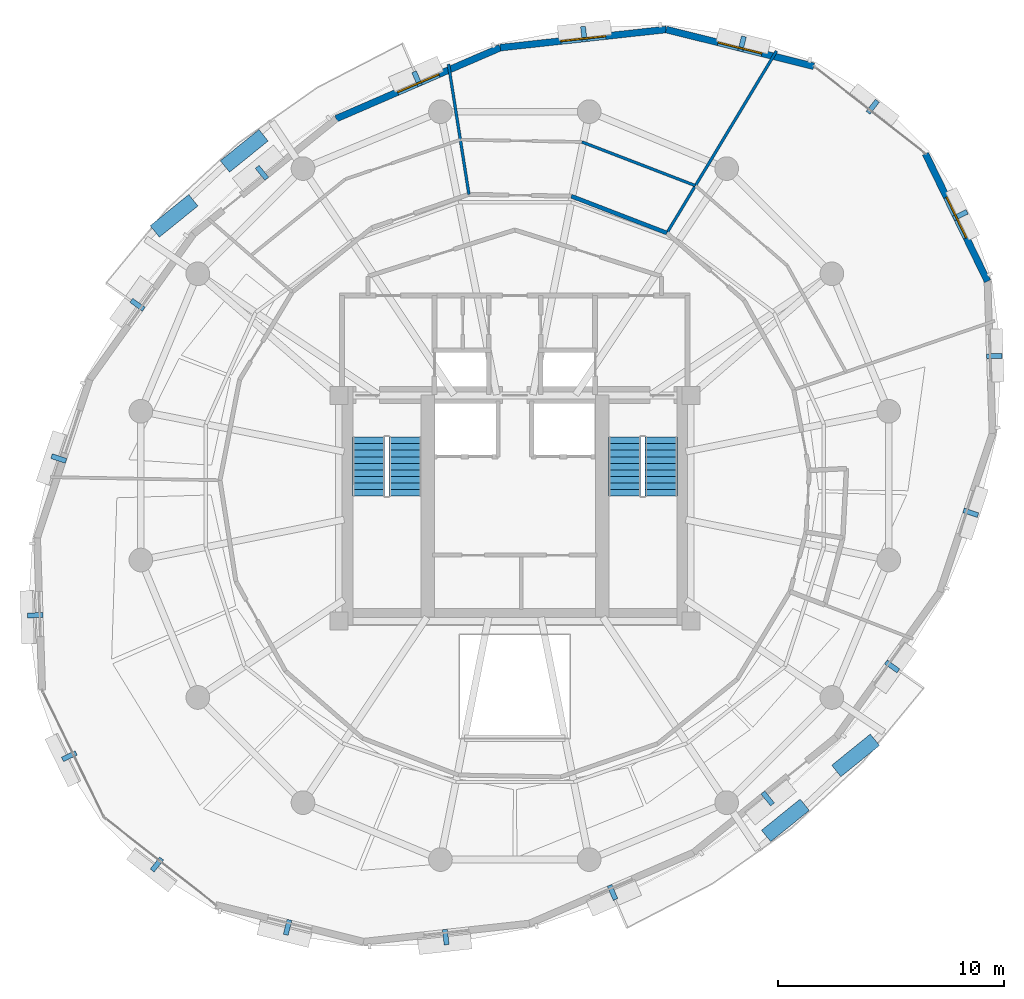
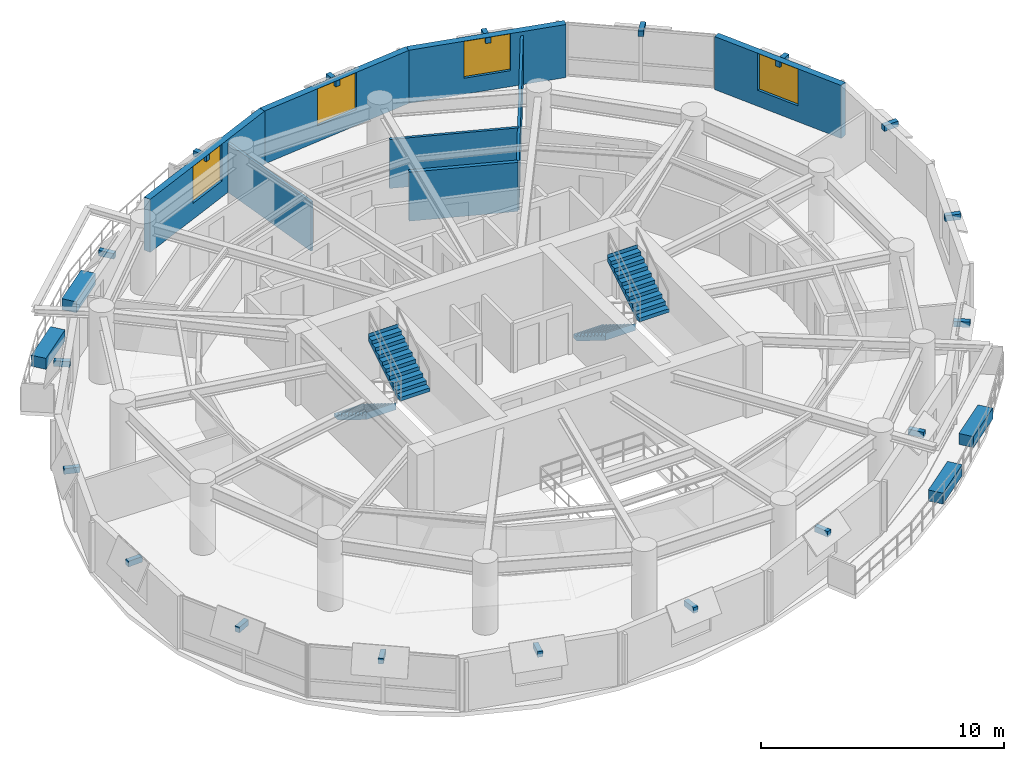
# One storey, part 10 of 12: 22 discrete accessories, 8 walls, 4 stair flights, 4 windows, 4 openings, 2 elements without a shape of their own.
"""IFC4 building model written with IfcOpenShell, lengths in metres."""

from ifc_helpers import new_model, si_unit, direction, frame, frame_2d, origin, origin_2d, place, context, subcontext, project, spatial, polyline, rectangle, outline, extrude, material, layer, layer_set, type_object, element, fill, aggregate, save


model = new_model("IFC4")

# Units and contexts
model_context = context("Model", 3, precision=1e-05, world=origin(), true_north=direction((0.0, 1.0)))
body_context = subcontext(model_context, "Body", "Model", "MODEL_VIEW")
ifc_project = project(units=[si_unit("LENGTHUNIT", "METRE"), si_unit("AREAUNIT", "SQUARE_METRE"), si_unit("VOLUMEUNIT", "CUBIC_METRE"), si_unit("PLANEANGLEUNIT", "RADIAN"), si_unit("MASSUNIT", "GRAM", prefix="KILO"), si_unit("THERMODYNAMICTEMPERATUREUNIT", "KELVIN"), si_unit("POWERUNIT", "WATT")], contexts=[model_context])

# Site, building, storey
site_placement = place(None, origin())
site = spatial("IfcSite", under=ifc_project, at=site_placement, CompositionType="ELEMENT")
building_placement = place(site_placement, origin())
building = spatial("IfcBuilding", under=site, at=building_placement, Name="Ocrelia Relay Tower", CompositionType="ELEMENT")
storey_placement = place(building_placement, frame((0.0, 0.0, 195.199951171875)))
storey = spatial("IfcBuildingStorey", under=building, at=storey_placement, Name="L47", CompositionType="ELEMENT", Elevation=195.199951171875)

# Wall
ifc_material_1 = material(Name="Gypsum Fireboard Partition EI60", Category="gypsum")
ifc_layer_1 = layer(ifc_material_1, 0.179931640625, Name="Gypsum Fireboard Partition EI60")
ifc_layer_set_1 = layer_set([ifc_layer_1], Name="Gypsum Fireboard Partition EI60")
wall_type_1 = type_object("IfcWallType", Name="W-CORR-EI60-180", PredefinedType="PARTITIONING", material=ifc_layer_set_1)
wall_1_placement = place(storey_placement, frame((40.7412109375, 37.197265625, 0.0), z_axis=(0.0, 0.0, 1.0), x_axis=(-0.93326379198, 0.359191723984, 0.0)))
element("IfcWall", 1, at=wall_1_placement, inside=storey, type_object=wall_type_1, Name="L47 Security Office C Corridor Partition 1", PredefinedType="PARTITIONING", context=body_context, shape_type="SweptSolid", body=[
    extrude(rectangle(XDim=4.5390625, YDim=0.179931640625, at=frame_2d((2.26953125, 0.0))), origin(), (0.0, 0.0, 1.0), 2.4599609375),
])

# Wall, opening, window
ifc_material_2 = material(Name="Precast concrete C40/50 with oxide terracotta", Category="masonry")
ifc_layer_2 = layer(ifc_material_2, 0.300048828125, Name="Precast concrete C40/50 with oxide terracotta")
ifc_layer_set_2 = layer_set([ifc_layer_2], Name="Precast concrete C40/50 with oxide terracotta")
wall_type_2 = type_object("IfcWallType", Name="W-EXT-TERR-300", PredefinedType="SOLIDWALL", material=ifc_layer_set_2)
wall_2_placement = place(storey_placement, frame((47.251953125, 44.584228515625, 0.0), z_axis=(0.0, 0.0, 1.0), x_axis=(-0.970265866101, 0.242041626748, 0.0)))
wall_2 = element("IfcWall", 2, at=wall_2_placement, inside=storey, type_object=wall_type_2, Name="L47 Oxide Terracotta Facade Wall 02", PredefinedType="SOLIDWALL", context=body_context, shape_type="SweptSolid", body=[
    extrude(rectangle(XDim=6.744873046875, YDim=0.300048828125, at=frame_2d((3.37255859375, 0.0))), origin(), (0.0, 0.0, 1.0), 2.66015625),
])
opening_1_placement = place(wall_2_placement, frame((2.373046875, 0.0, 0.800048828125)))
opening_1 = element("IfcOpeningElement", 3, at=opening_1_placement, cuts=wall_2, Name="Opening W-03", PredefinedType="OPENING", context=body_context, shape_type="SweptSolid", body=[
    extrude(rectangle(XDim=2.0, YDim=1.85009765625, at=frame_2d((1.0, 0.925048828125))), frame((0.0, 0.16015625, 0.0), z_axis=(0.0, -1.0, 0.0), x_axis=(1.0, 0.0, 0.0)), (0.0, 0.0, 1.0), 0.320068359375),
])
ifc_material_3 = material(Name="Clear double-glazed low-E glass", Category="glass")
window_type = type_object("IfcWindowType", Name="WIN-Z3-2000x2200", PartitioningType="DOUBLE_PANEL_VERTICAL", PredefinedType="WINDOW", material=ifc_material_3)
window_1_placement = place(opening_1_placement, origin())
window_1 = element("IfcWindow", 4, at=window_1_placement, inside=storey, type_object=window_type, Name="L47 Facade Module Window 02", OverallHeight=1.85009765625, OverallWidth=2.0, PartitioningType="SINGLE_PANEL", PredefinedType="WINDOW", context=body_context, shape_type="SweptSolid", body=[
    extrude(rectangle(XDim=2.0, YDim=1.85009765625, at=frame_2d((1.0, 0.925048828125))), frame((0.0, 0.030029296875, 0.0), z_axis=(0.0, -1.0, 0.0), x_axis=(1.0, 0.0, 0.0)), (0.0, 0.0, 1.0), 0.06005859375),
])
fill(opening_1, window_1)

wall_3_placement = place(storey_placement, frame((40.70751953125, 46.216796875, 0.0), z_axis=(0.0, 0.0, 1.0), x_axis=(-0.994048036748, -0.108942648383, 0.0)))
wall_3 = element("IfcWall", 5, at=wall_3_placement, inside=storey, type_object=wall_type_2, Name="L47 Oxide Terracotta Facade Wall 03", PredefinedType="SOLIDWALL", context=body_context, shape_type="SweptSolid", body=[
    extrude(rectangle(XDim=7.3974609375, YDim=0.300048828125, at=frame_2d((3.69873046875, 0.0))), origin(), (0.0, 0.0, 1.0), 2.66015625),
])
opening_2_placement = place(wall_3_placement, frame((2.698974609375, 0.0, 0.800048828125)))
opening_2 = element("IfcOpeningElement", 6, at=opening_2_placement, cuts=wall_3, Name="Opening W-03", PredefinedType="OPENING", context=body_context, shape_type="SweptSolid", body=[
    extrude(rectangle(XDim=2.0, YDim=1.85009765625, at=frame_2d((1.0, 0.925048828125))), frame((0.0, 0.16015625, 0.0), z_axis=(0.0, -1.0, 0.0), x_axis=(1.0, 0.0, 0.0)), (0.0, 0.0, 1.0), 0.320068359375),
])
window_2_placement = place(opening_2_placement, origin())
window_2 = element("IfcWindow", 7, at=window_2_placement, inside=storey, type_object=window_type, Name="L47 Facade Module Window 03", OverallHeight=1.85009765625, OverallWidth=2.0, PartitioningType="SINGLE_PANEL", PredefinedType="WINDOW", context=body_context, shape_type="SweptSolid", body=[
    extrude(rectangle(XDim=2.0, YDim=1.85009765625, at=frame_2d((1.0, 0.925048828125))), frame((0.0, 0.030029296875, 0.0), z_axis=(0.0, -1.0, 0.0), x_axis=(1.0, 0.0, 0.0)), (0.0, 0.0, 1.0), 0.06005859375),
])
fill(opening_2, window_2)

wall_4_placement = place(storey_placement, frame((33.35400390625, 45.410888671875, 0.0), z_axis=(0.0, 0.0, 1.0), x_axis=(-0.917811240331, -0.397017036311, 0.0)))
wall_4 = element("IfcWall", 8, at=wall_4_placement, inside=storey, type_object=wall_type_2, Name="L47 Oxide Terracotta Facade Wall 04", PredefinedType="SOLIDWALL", context=body_context, shape_type="SweptSolid", body=[
    extrude(rectangle(XDim=7.92724609375, YDim=0.300048828125, at=frame_2d((3.963623046875, 0.0))), origin(), (0.0, 0.0, 1.0), 2.66015625),
])
opening_3_placement = place(wall_4_placement, frame((2.964111328125, 0.0, 0.800048828125)))
opening_3 = element("IfcOpeningElement", 9, at=opening_3_placement, cuts=wall_4, Name="Opening W-03", PredefinedType="OPENING", context=body_context, shape_type="SweptSolid", body=[
    extrude(rectangle(XDim=2.0, YDim=1.85009765625, at=frame_2d((1.0, 0.925048828125))), frame((0.0, 0.16015625, 0.0), z_axis=(0.0, -1.0, 0.0), x_axis=(1.0, 0.0, 0.0)), (0.0, 0.0, 1.0), 0.320068359375),
])
window_3_placement = place(opening_3_placement, origin())
window_3 = element("IfcWindow", 10, at=window_3_placement, inside=storey, type_object=window_type, Name="L47 Facade Module Window 04", OverallHeight=1.85009765625, OverallWidth=2.0, PartitioningType="SINGLE_PANEL", PredefinedType="WINDOW", context=body_context, shape_type="SweptSolid", body=[
    extrude(rectangle(XDim=2.0, YDim=1.85009765625, at=frame_2d((1.0, 0.925048828125))), frame((0.0, 0.030029296875, 0.0), z_axis=(0.0, -1.0, 0.0), x_axis=(1.0, 0.0, 0.0)), (0.0, 0.0, 1.0), 0.06005859375),
])
fill(opening_3, window_3)

wall_5_placement = place(storey_placement, frame((54.94921875, 35.06201171875, 0.0), z_axis=(0.0, 0.0, 1.0), x_axis=(-0.437909831955, 0.899018898064, 0.0)))
wall_5 = element("IfcWall", 11, at=wall_5_placement, inside=storey, type_object=wall_type_2, Name="L47 Oxide Terracotta Facade Wall 18", PredefinedType="SOLIDWALL", context=body_context, shape_type="SweptSolid", body=[
    extrude(rectangle(XDim=6.28271484375, YDim=0.300048828125, at=frame_2d((3.141357421875, 0.0))), origin(), (0.0, 0.0, 1.0), 2.66015625),
])
opening_4_placement = place(wall_5_placement, frame((2.14111328125, 0.0, 0.800048828125)))
opening_4 = element("IfcOpeningElement", 12, at=opening_4_placement, cuts=wall_5, Name="Opening W-03", PredefinedType="OPENING", context=body_context, shape_type="SweptSolid", body=[
    extrude(rectangle(XDim=2.0, YDim=1.85009765625, at=frame_2d((1.0, 0.925048828125))), frame((0.0, 0.16015625, 0.0), z_axis=(0.0, -1.0, 0.0), x_axis=(1.0, 0.0, 0.0)), (0.0, 0.0, 1.0), 0.320068359375),
])
window_4_placement = place(opening_4_placement, origin())
window_4 = element("IfcWindow", 13, at=window_4_placement, inside=storey, type_object=window_type, Name="L47 Facade Module Window 18", OverallHeight=1.85009765625, OverallWidth=2.0, PartitioningType="SINGLE_PANEL", PredefinedType="WINDOW", context=body_context, shape_type="SweptSolid", body=[
    extrude(rectangle(XDim=2.0, YDim=1.85009765625, at=frame_2d((1.0, 0.925048828125))), frame((0.0, 0.030029296875, 0.0), z_axis=(0.0, -1.0, 0.0), x_axis=(1.0, 0.0, 0.0)), (0.0, 0.0, 1.0), 0.06005859375),
])
fill(opening_4, window_4)

# Walls
ifc_material_4 = material(Name="Acoustic Fireboard Partition EI60", Category="gypsum")
ifc_layer_3 = layer(ifc_material_4, 0.125, Name="Acoustic Fireboard Partition EI60")
ifc_layer_set_3 = layer_set([ifc_layer_3], Name="Acoustic Fireboard Partition EI60")
wall_type_3 = type_object("IfcWallType", Name="W-PART-125", PredefinedType="PARTITIONING", material=ifc_layer_set_3)
wall_6_placement = place(storey_placement, frame((40.7412109375, 37.197265625, 0.0), z_axis=(0.0, 0.0, 1.0), x_axis=(0.515795335876, 0.856711836903, 0.0)))
element("IfcWall", 14, at=wall_6_placement, inside=storey, type_object=wall_type_3, Name="L47 Telemetry Office B Radial Partition", PredefinedType="PARTITIONING", context=body_context, shape_type="SweptSolid", body=[
    extrude(rectangle(XDim=9.41650390625, YDim=0.125, at=frame_2d((4.708251953125, 0.0))), origin(), (0.0, 0.0, 1.0), 2.4599609375),
])
wall_7_placement = place(storey_placement, frame((31.966796875, 38.910888671875, 0.0), z_axis=(0.0, 0.0, 1.0), x_axis=(-0.155588850642, 0.987821901739, 0.0)))
element("IfcWall", 15, at=wall_7_placement, inside=storey, type_object=wall_type_3, Name="L47 Security Office C Radial Partition", PredefinedType="PARTITIONING", context=body_context, shape_type="SweptSolid", body=[
    extrude(rectangle(XDim=5.837158203125, YDim=0.125, at=frame_2d((2.91845703125, 0.0))), origin(), (0.0, 0.0, 1.0), 2.4599609375),
])
wall_8_placement = place(storey_placement, frame((42.0048828125, 39.29638671875, 0.0), z_axis=(0.0, 0.0, 1.0), x_axis=(-0.933263863739, 0.359191537539, 0.0)))
element("IfcWall", 16, at=wall_8_placement, inside=storey, type_object=wall_type_3, Name="L47 Perimeter Security Office C Mid-Ring Partition 1", PredefinedType="PARTITIONING", context=body_context, shape_type="SweptSolid", body=[
    extrude(rectangle(XDim=5.389892578125, YDim=0.125, at=frame_2d((2.69482421875, 0.0))), origin(), (0.0, 0.0, 1.0), 2.4599609375),
])

# Stair, stair flights
ifc_material_5 = material(Name="Concrete C50/60", Category="concrete")
stair_type = type_object("IfcStairType", Name="ST-DL-1420-R180", PredefinedType="HALF_TURN_STAIR", material=ifc_material_5)
stair_1_placement = place(storey_placement, origin())
stair_1 = element("IfcStair", 17, at=stair_1_placement, inside=storey, type_object=stair_type, Name="L47 West Core Exit Stair ST1", PredefinedType="HALF_TURN_STAIR")
stair_flight_type = type_object("IfcStairFlightType", Name="STF-DL-1420-R180", PredefinedType="STRAIGHT", material=ifc_material_5)
stair_flight_1_placement = place(storey_placement, frame((27.52001953125, 28.14990234375, 0.0), z_axis=(0.0, 0.0, 1.0), x_axis=(0.0, -1.0, 0.0)))
stair_flight_1 = element("IfcStairFlight", 18, at=stair_flight_1_placement, type_object=stair_flight_type, Name="ST1 flight 1", NumberOfRisers=10, NumberOfTreads=9, PredefinedType="STRAIGHT", RiserHeight=0.18, TreadLength=0.29, context=body_context, shape_type="SweptSolid", body=[
    extrude(outline(polyline([(-0.008056640625, 0.0), (-0.008056640625, 0.179931640625), (0.0, 0.179931640625), (0.2900390625, 0.179931640625), (0.2900390625, 0.360107421875), (0.580078125, 0.360107421875), (0.580078125, 0.5400390625), (0.8701171875, 0.5400390625), (0.8701171875, 0.719970703125), (1.159912109375, 0.719970703125), (1.159912109375, 0.89990234375), (1.449951171875, 0.89990234375), (1.449951171875, 1.080078125), (1.739990234375, 1.080078125), (1.739990234375, 1.260009765625), (2.030029296875, 1.260009765625), (2.030029296875, 1.43994140625), (2.320068359375, 1.43994140625), (2.320068359375, 1.6201171875), (2.610107421875, 1.6201171875), (2.610107421875, 1.800048828125), (2.617919921875, 1.800048828125), (2.617919921875, 1.443603515625), (0.2841796875, 0.0), (-0.008056640625, 0.0)])), frame((0.0, 0.7099609375, 0.0), z_axis=(0.0, -1.0, 0.0), x_axis=(1.0, 0.0, 0.0)), (0.0, 0.0, 1.0), 1.419921875),
])
stair_flight_2_placement = place(storey_placement, frame((29.139892578125, 25.5400390625, 1.800048828125), z_axis=(0.0, 0.0, 1.0), x_axis=(0.0, 1.0, 0.0)))
stair_flight_2 = element("IfcStairFlight", 19, at=stair_flight_2_placement, type_object=stair_flight_type, Name="ST1 flight 2", NumberOfRisers=10, NumberOfTreads=9, PredefinedType="STRAIGHT", RiserHeight=0.18, TreadLength=0.29, context=body_context, shape_type="SweptSolid", body=[
    extrude(outline(polyline([(-0.008056640625, 0.0), (-0.008056640625, 0.179931640625), (0.0, 0.179931640625), (0.2900390625, 0.179931640625), (0.2900390625, 0.360107421875), (0.580078125, 0.360107421875), (0.580078125, 0.5400390625), (0.8701171875, 0.5400390625), (0.8701171875, 0.719970703125), (1.159912109375, 0.719970703125), (1.159912109375, 0.89990234375), (1.449951171875, 0.89990234375), (1.449951171875, 1.080078125), (1.739990234375, 1.080078125), (1.739990234375, 1.260009765625), (2.030029296875, 1.260009765625), (2.030029296875, 1.43994140625), (2.320068359375, 1.43994140625), (2.320068359375, 1.6201171875), (2.610107421875, 1.6201171875), (2.610107421875, 1.800048828125), (2.617919921875, 1.800048828125), (2.617919921875, 1.443603515625), (0.2841796875, 0.0), (-0.008056640625, 0.0)])), frame((0.0, 0.7099609375, 0.0), z_axis=(0.0, -1.0, 0.0), x_axis=(1.0, 0.0, 0.0)), (0.0, 0.0, 1.0), 1.419921875),
])
aggregate(stair_1, [stair_flight_1, stair_flight_2])

stair_2_placement = place(storey_placement, origin())
stair_2 = element("IfcStair", 20, at=stair_2_placement, inside=storey, type_object=stair_type, Name="L47 East Core Exit Stair ST2", PredefinedType="HALF_TURN_STAIR")
stair_flight_3_placement = place(storey_placement, frame((38.8701171875, 28.14990234375, 0.0), z_axis=(0.0, 0.0, 1.0), x_axis=(0.0, -1.0, 0.0)))
stair_flight_3 = element("IfcStairFlight", 21, at=stair_flight_3_placement, type_object=stair_flight_type, Name="ST2 flight 1", NumberOfRisers=10, NumberOfTreads=9, PredefinedType="STRAIGHT", RiserHeight=0.18, TreadLength=0.29, context=body_context, shape_type="SweptSolid", body=[
    extrude(outline(polyline([(-0.008056640625, 0.0), (-0.008056640625, 0.179931640625), (0.0, 0.179931640625), (0.2900390625, 0.179931640625), (0.2900390625, 0.360107421875), (0.580078125, 0.360107421875), (0.580078125, 0.5400390625), (0.8701171875, 0.5400390625), (0.8701171875, 0.719970703125), (1.159912109375, 0.719970703125), (1.159912109375, 0.89990234375), (1.449951171875, 0.89990234375), (1.449951171875, 1.080078125), (1.739990234375, 1.080078125), (1.739990234375, 1.260009765625), (2.030029296875, 1.260009765625), (2.030029296875, 1.43994140625), (2.320068359375, 1.43994140625), (2.320068359375, 1.6201171875), (2.610107421875, 1.6201171875), (2.610107421875, 1.800048828125), (2.617919921875, 1.800048828125), (2.617919921875, 1.443603515625), (0.2841796875, 0.0), (-0.008056640625, 0.0)])), frame((0.0, 0.7099609375, 0.0), z_axis=(0.0, -1.0, 0.0), x_axis=(1.0, 0.0, 0.0)), (0.0, 0.0, 1.0), 1.419921875),
])
stair_flight_4_placement = place(storey_placement, frame((40.489990234375, 25.5400390625, 1.800048828125), z_axis=(0.0, 0.0, 1.0), x_axis=(0.0, 1.0, 0.0)))
stair_flight_4 = element("IfcStairFlight", 22, at=stair_flight_4_placement, type_object=stair_flight_type, Name="ST2 flight 2", NumberOfRisers=10, NumberOfTreads=9, PredefinedType="STRAIGHT", RiserHeight=0.18, TreadLength=0.29, context=body_context, shape_type="SweptSolid", body=[
    extrude(outline(polyline([(-0.008056640625, 0.0), (-0.008056640625, 0.179931640625), (0.0, 0.179931640625), (0.2900390625, 0.179931640625), (0.2900390625, 0.360107421875), (0.580078125, 0.360107421875), (0.580078125, 0.5400390625), (0.8701171875, 0.5400390625), (0.8701171875, 0.719970703125), (1.159912109375, 0.719970703125), (1.159912109375, 0.89990234375), (1.449951171875, 0.89990234375), (1.449951171875, 1.080078125), (1.739990234375, 1.080078125), (1.739990234375, 1.260009765625), (2.030029296875, 1.260009765625), (2.030029296875, 1.43994140625), (2.320068359375, 1.43994140625), (2.320068359375, 1.6201171875), (2.610107421875, 1.6201171875), (2.610107421875, 1.800048828125), (2.617919921875, 1.800048828125), (2.617919921875, 1.443603515625), (0.2841796875, 0.0), (-0.008056640625, 0.0)])), frame((0.0, 0.7099609375, 0.0), z_axis=(0.0, -1.0, 0.0), x_axis=(1.0, 0.0, 0.0)), (0.0, 0.0, 1.0), 1.419921875),
])
aggregate(stair_2, [stair_flight_3, stair_flight_4])

# Discrete accessories
ifc_material_6 = material(Name="Precast concrete C40/50 planter with highland greenery", Category="concrete")
discrete_accessory_type_1 = type_object("IfcDiscreteAccessoryType", Name="ACC-BALC-PLANTER", PredefinedType="USERDEFINED", material=ifc_material_6)
for number, where, z_axis, x_axis, name in (
    (23, (22.007080078125, 40.83642578125, 0.0), (0.0, 0.0, 1.0), (0.777689317707, 0.628648809053, 0.0), "L47 Balcony Terracotta Planter with Greenery B1"),
    (24, (18.896240234375, 37.956787109375, 0.0), (0.0, 0.0, 1.0), (0.777689317707, 0.628648809053, 0.0), "L47 Balcony Terracotta Planter B1-2"),
    (25, (45.992919921875, 11.16357421875, 0.0), (0.0, 0.0, 1.0), (-0.777689317707, -0.628648809053, 0.0), "L47 Balcony Terracotta Planter with Greenery B2"),
    (26, (49.103759765625, 14.043212890625, 0.0), (0.0, 0.0, 1.0), (-0.777689317707, -0.628648809053, 0.0), "L47 Balcony Terracotta Planter B2-2"),
):
    element("IfcDiscreteAccessory", number, at=place(storey_placement, frame(where, z_axis=z_axis, x_axis=x_axis)), inside=storey, type_object=discrete_accessory_type_1, Name=name, ObjectType="PLANTER", PredefinedType="USERDEFINED", context=body_context, shape_type="SweptSolid", body=[
        extrude(rectangle(XDim=2.199951171875, YDim=0.64990234375, at=origin_2d()), origin(), (0.0, 0.0, 1.0), 0.550048828125),
    ])
ifc_material_7 = material(Name="Steel S355", Category="steel")
discrete_accessory_type_2 = type_object("IfcDiscreteAccessoryType", Name="ACC-VISOR-BRACKET", PredefinedType="BRACKET", material=ifc_material_7)
for number, where, z_axis, x_axis, name in (
    (27, (49.8623046875, 42.79248046875, 2.35986328125), (0.0, 0.0, 1.0), (-0.787260762162, 0.616620217281, 0.0), "L47 Visor Mounting Bracket 01"),
    (28, (44.071044921875, 45.578369140625, 2.35986328125), (0.0, 0.0, 1.0), (-0.970268822899, 0.242029773602, 0.0), "L47 Visor Mounting Bracket 02"),
    (29, (37.060791015625, 46.011474609375, 2.35986328125), (0.0, 0.0, 1.0), (-0.994046667767, -0.108955138936, 0.0), "L47 Visor Mounting Bracket 03"),
    (30, (29.66943359375, 44.03173828125, 2.35986328125), (0.0, 0.0, 1.0), (-0.91781591783, -0.397006222846, 0.0), "L47 Visor Mounting Bracket 04"),
    (31, (22.79248046875, 39.86474609375, 2.35986328125), (0.0, 0.0, 1.0), (-0.777688264351, -0.628650112138, 0.0), "L47 Visor Mounting Bracket 05"),
    (32, (17.276611328125, 34.01416015625, 2.35986328125), (0.0, 0.0, 1.0), (-0.580582874638, -0.814201157993, 0.0), "L47 Visor Mounting Bracket 06"),
    (33, (13.79150390625, 27.201904296875, 2.35986328125), (0.0, 0.0, 1.0), (-0.31490134324, -0.94912440914, 0.0), "L47 Visor Mounting Bracket 07"),
    (34, (12.74560546875, 20.256591796875, 2.35986328125), (0.0, 0.0, 1.0), (0.033268921474, -0.999446436216, 0.0), "L47 Visor Mounting Bracket 08"),
    (35, (14.25537109375, 14.010009765625, 2.35986328125), (0.0, 0.0, 1.0), (0.437887621524, -0.89902971637, 0.0), "L47 Visor Mounting Bracket 09"),
    (36, (18.1376953125, 9.20751953125, 2.35986328125), (0.0, 0.0, 1.0), (0.787260762162, -0.616620217281, 0.0), "L47 Visor Mounting Bracket 10"),
    (37, (23.928955078125, 6.421630859375, 2.35986328125), (0.0, 0.0, 1.0), (0.970268822899, -0.242029773602, 0.0), "L47 Visor Mounting Bracket 11"),
    (38, (30.939208984375, 5.988525390625, 2.35986328125), (0.0, 0.0, 1.0), (0.994046667767, 0.108955138936, 0.0), "L47 Visor Mounting Bracket 12"),
    (39, (38.33056640625, 7.96826171875, 2.35986328125), (0.0, 0.0, 1.0), (0.91781591783, 0.397006222846, 0.0), "L47 Visor Mounting Bracket 13"),
    (40, (45.20751953125, 12.13525390625, 2.35986328125), (0.0, 0.0, 1.0), (0.777688264351, 0.628650112138, 0.0), "L47 Visor Mounting Bracket 14"),
    (41, (50.723388671875, 17.98583984375, 2.35986328125), (0.0, 0.0, 1.0), (0.580582874638, 0.814201157993, 0.0), "L47 Visor Mounting Bracket 15"),
    (42, (54.20849609375, 24.798095703125, 2.35986328125), (0.0, 0.0, 1.0), (0.31490134324, 0.94912440914, 0.0), "L47 Visor Mounting Bracket 16"),
    (43, (55.25439453125, 31.743408203125, 2.35986328125), (0.0, 0.0, 1.0), (-0.033268921474, 0.999446436216, 0.0), "L47 Visor Mounting Bracket 17"),
    (44, (53.74462890625, 37.989990234375, 2.35986328125), (0.0, 0.0, 1.0), (-0.437887621524, 0.89902971637, 0.0), "L47 Visor Mounting Bracket 18"),
):
    element("IfcDiscreteAccessory", number, at=place(storey_placement, frame(where, z_axis=z_axis, x_axis=x_axis)), inside=storey, type_object=discrete_accessory_type_2, Name=name, PredefinedType="BRACKET", context=body_context, shape_type="SweptSolid", body=[
        extrude(rectangle(XDim=0.219970703125, YDim=0.679931640625, at=origin_2d()), origin(), (0.0, 0.0, 1.0), 0.280029296875),
    ])

save(model, "model.ifc")
